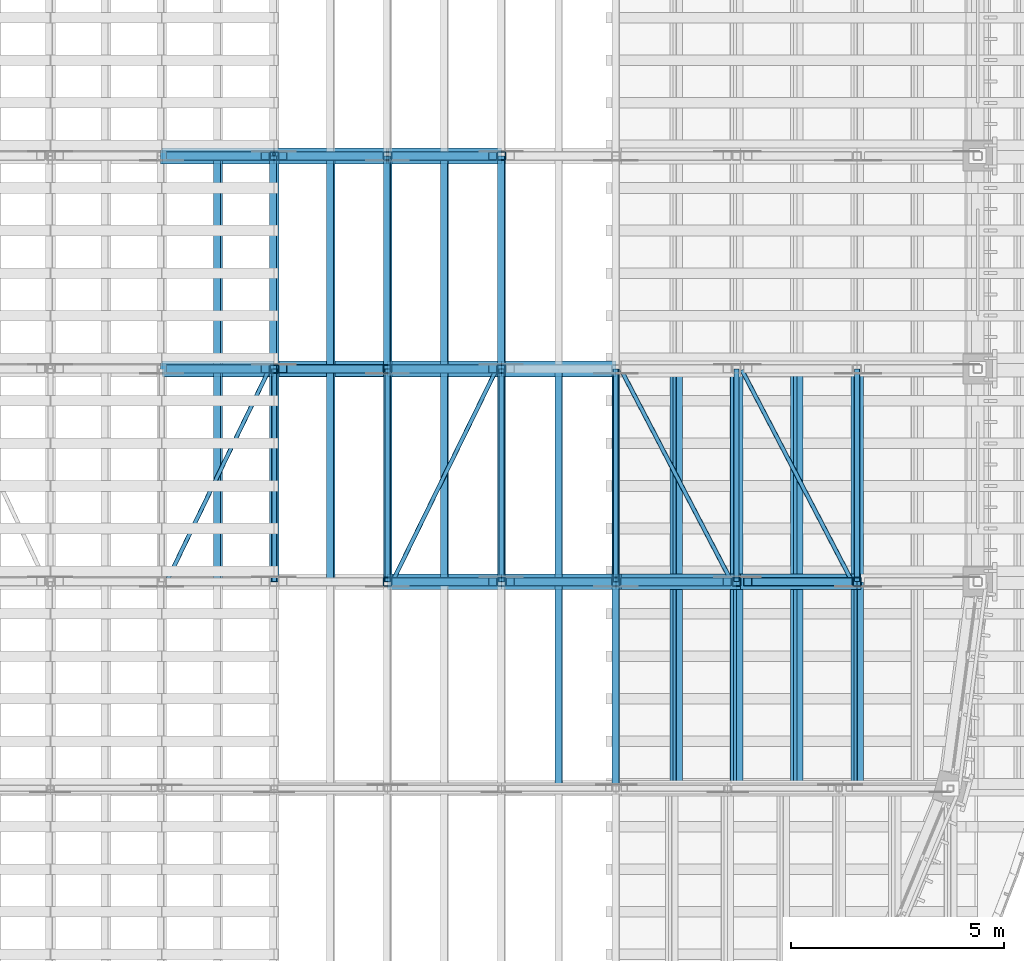
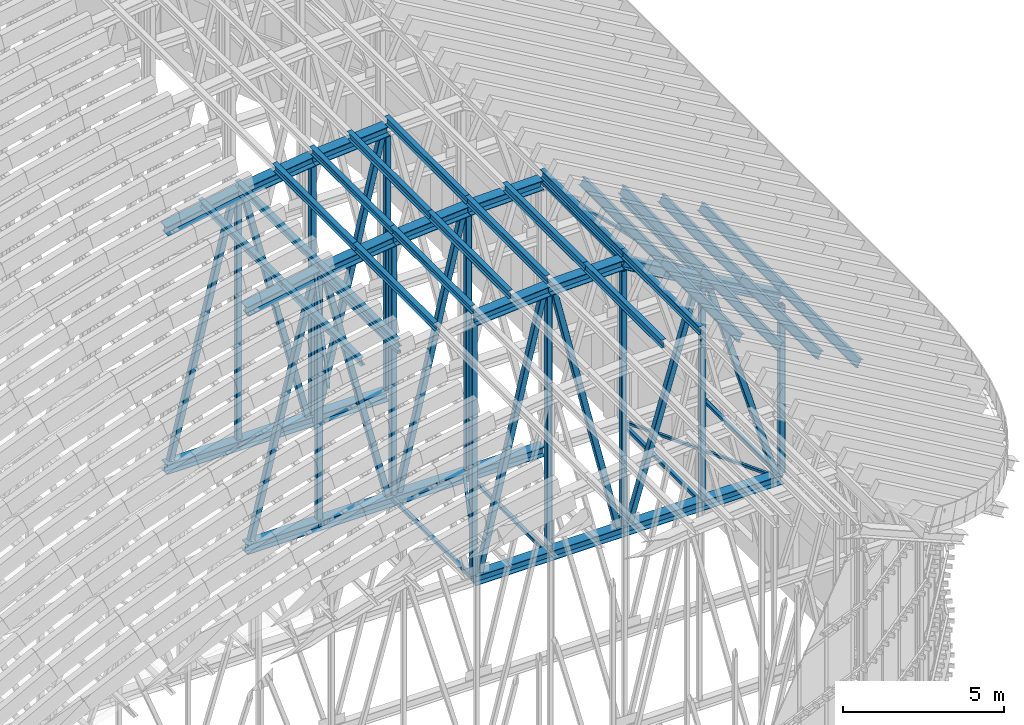
# One storey, part 14 of 105: 78 members.
"""IFC4 building model written with IfcOpenShell, lengths in metres."""

import ifcopenshell
import ifcopenshell.guid

model = None  # the IFC model being written
_history = None  # IfcOwnerHistory: only IFC2X3 demands one
_inside = {}  # id of a spatial element -> (the spatial element, [elements in it])
_under = {}  # id of a project, library or spatial element -> (it, [spatial elements below it])
_declared = {}  # id of a project -> (the project, [libraries it declares])
_typed = {}  # id of a type object -> (the type object, [elements of that type])
_made_of = {}  # id of a material, layer set ... -> (it, [elements and type objects made of it])


def new_model(schema):
    """Start an empty IFC model of exactly this schema.

    Asked for "IFC4X3", IfcOpenShell would pick the latest addendum, in which some entities
    have other attributes; the version numbers below select the first issue.
    IFC2X3 requires an IfcOwnerHistory on every rooted entity: one is made here for all.
    """
    global model, _history
    if schema == "IFC4X3":
        model = ifcopenshell.file(schema_version=(4, 3, 0, 0))
    else:
        model = ifcopenshell.file(schema=schema)
    _inside.clear()
    _under.clear()
    _declared.clear()
    _typed.clear()
    _made_of.clear()
    _history = None
    if model.schema == "IFC2X3":
        org = make("IfcOrganization", Name="unknown")
        user = make(
            "IfcPersonAndOrganization",
            ThePerson=make("IfcPerson", FamilyName="unknown"),
            TheOrganization=org,
        )
        app = make(
            "IfcApplication",
            ApplicationDeveloper=org,
            Version="unknown",
            ApplicationFullName="unknown",
            ApplicationIdentifier="unknown",
        )
        _history = make(
            "IfcOwnerHistory",
            OwningUser=user,
            OwningApplication=app,
            ChangeAction="ADDED",
            CreationDate=0,
        )
    return model


def make(cls, **values):
    """One entity of the class cls with the attributes given. An attribute that is None is left unset."""
    return model.create_entity(
        cls, **{name: value for name, value in values.items() if value is not None}
    )


def rooted(cls, **values):
    """An entity with a GlobalId (a new one), such as an element, a storey or a relation."""
    return make(cls, GlobalId=ifcopenshell.guid.new(), OwnerHistory=_history, **values)


def si_unit(unit_type, name, prefix=None):
    """IfcSIUnit, for example si_unit("LENGTHUNIT", "METRE", prefix="MILLI")."""
    return make("IfcSIUnit", UnitType=unit_type, Prefix=prefix, Name=name)


def assignment(units):
    """IfcUnitAssignment: the units of a project."""
    return None if units is None else make("IfcUnitAssignment", Units=units)


def point(xyz):
    """IfcCartesianPoint."""
    return None if xyz is None else make("IfcCartesianPoint", Coordinates=xyz)


def direction(xyz):
    """IfcDirection."""
    return None if xyz is None else make("IfcDirection", DirectionRatios=xyz)


def frame(location, z_axis=None, x_axis=None):
    """IfcAxis2Placement3D, a coordinate frame: its origin and axes. An axis left out is left unset."""
    return make(
        "IfcAxis2Placement3D",
        Location=point(location),
        Axis=direction(z_axis),
        RefDirection=direction(x_axis),
    )


def frame_2d(location, x_axis=None):
    """IfcAxis2Placement2D, a coordinate frame in the plane: its origin and x axis."""
    return make(
        "IfcAxis2Placement2D", Location=point(location), RefDirection=direction(x_axis)
    )


def origin():
    """The frame at (0, 0, 0) with its axes left unset."""
    return frame((0.0, 0.0, 0.0))


def origin_2d():
    """The frame at (0, 0) in the plane with its x axis left unset."""
    return frame_2d((0.0, 0.0))


def place(relative_to, where):
    """IfcLocalPlacement: puts the frame where relative to a parent placement (None: the world)."""
    return make(
        "IfcLocalPlacement", PlacementRelTo=relative_to, RelativePlacement=where
    )


def context(
    kind, dimensions, precision=None, world=None, true_north=None, identifier=None
):
    """IfcGeometricRepresentationContext, for example the 3D "Model" context."""
    return make(
        "IfcGeometricRepresentationContext",
        ContextIdentifier=identifier,
        ContextType=kind,
        CoordinateSpaceDimension=dimensions,
        Precision=precision,
        WorldCoordinateSystem=world,
        TrueNorth=true_north,
    )


def subcontext(parent, identifier, kind, view, scale=None):
    """IfcGeometricRepresentationSubContext, for example "Body" below "Model"."""
    return make(
        "IfcGeometricRepresentationSubContext",
        ContextIdentifier=identifier,
        ContextType=kind,
        ParentContext=parent,
        TargetScale=scale,
        TargetView=view,
    )


def project(units=None, contexts=None):
    """IfcProject with its units and contexts."""
    return rooted(
        "IfcProject",
        Name="project",
        RepresentationContexts=contexts,
        UnitsInContext=assignment(units),
    )


def spatial(cls, under=None, at=None, **own):
    """A site, building, storey or space (cls), placed at a placement, below another one or the project."""
    s = rooted(cls, ObjectPlacement=at, **own)
    if under is not None:
        _under.setdefault(under.id(), (under, []))[1].append(s)
    return s


def profile(cls, at=None, kind="AREA", **sizes):
    """A parametric profile (cls). Its sizes go by their IFC names, for example OverallWidth=200.0."""
    return make(cls, ProfileType=kind, Position=at, **sizes)


def hollow_rectangle(**sizes):
    """IfcRectangleHollowProfileDef."""
    return profile("IfcRectangleHollowProfileDef", **sizes)


def i_section(**sizes):
    """IfcIShapeProfileDef."""
    return profile("IfcIShapeProfileDef", **sizes)


def extrude(swept, where, along, depth):
    """IfcExtrudedAreaSolid: the profile swept, set in the frame where, extruded along a direction by depth."""
    return make(
        "IfcExtrudedAreaSolid",
        SweptArea=swept,
        Position=where,
        ExtrudedDirection=direction(along),
        Depth=depth,
    )


def shape(context_of_items, identifier, shape_type, items):
    """IfcShapeRepresentation: the items that make up one representation, for example the "Body"."""
    return make(
        "IfcShapeRepresentation",
        ContextOfItems=context_of_items,
        RepresentationIdentifier=identifier,
        RepresentationType=shape_type,
        Items=items,
    )


def material(Name=None, Category=None):
    """IfcMaterial."""
    return make("IfcMaterial", Name=Name, Category=Category)


def material_profile(
    of_material, cross_section, Name=None, Category=None, Priority=None
):
    """IfcMaterialProfile: a cross section and its material."""
    return make(
        "IfcMaterialProfile",
        Name=Name,
        Material=of_material,
        Profile=cross_section,
        Priority=Priority,
        Category=Category,
    )


def profile_set(profiles, Name=None, composite=None):
    """IfcMaterialProfileSet."""
    return make(
        "IfcMaterialProfileSet",
        Name=Name,
        MaterialProfiles=profiles,
        CompositeProfile=composite,
    )


def made_of(thing, what):
    """Note that an element or type object is made of a material, layer set ...; save() writes the relation."""
    if what is not None:
        _made_of.setdefault(what.id(), (what, []))[1].append(thing)
    return thing


def type_object(cls, material=None, **own):
    """A type object (cls), such as IfcWallType, which elements share."""
    return made_of(rooted(cls, **own), material)


def element(
    cls,
    number,
    at=None,
    inside=None,
    cuts=None,
    type_object=None,
    material=None,
    context=None,
    identifier="Body",
    shape_type=None,
    held_by="IfcProductDefinitionShape",
    body=None,
    shapes=None,
    **own,
):
    """One element of the class cls, such as IfcWall. Its Tag is "e" and its number.

    at: its placement. inside: the storey or other place that contains it. cuts: it is an
    opening in that element (IfcRelVoidsElement). A single representation is given by context,
    identifier, shape_type and body (its items); several are given by shapes. held_by: the class
    of the entity that holds the representations. save() writes the other relations.
    """
    e = rooted(cls, Tag="e%d" % number, ObjectPlacement=at, **own)
    if body is not None:
        shapes = [shape(context, identifier, shape_type, body)]
    if shapes is not None:
        e.Representation = make(held_by, Representations=shapes)
    if inside is not None:
        _inside.setdefault(inside.id(), (inside, []))[1].append(e)
    if cuts is not None:
        rooted(
            "IfcRelVoidsElement", RelatingBuildingElement=cuts, RelatedOpeningElement=e
        )
    if type_object is not None:
        _typed.setdefault(type_object.id(), (type_object, []))[1].append(e)
    return made_of(e, material)


def aggregate(whole, parts):
    """IfcRelAggregates: a whole, such as a stair, and the parts it consists of."""
    return rooted("IfcRelAggregates", RelatingObject=whole, RelatedObjects=parts)


def save(model, path):
    """Write the relations noted so far, then the file.

    IfcRelAggregates (storeys below a building ...), IfcRelContainedInSpatialStructure (elements
    in a storey), IfcRelDefinesByType, IfcRelAssociatesMaterial and IfcRelDeclares: one each for
    every whole, place, type object, material and project.
    """
    for whole, parts in _under.values():
        aggregate(whole, parts)
    for where, things in _inside.values():
        rooted(
            "IfcRelContainedInSpatialStructure",
            RelatedElements=things,
            RelatingStructure=where,
        )
    for kind, things in _typed.values():
        rooted("IfcRelDefinesByType", RelatedObjects=things, RelatingType=kind)
    for what, things in _made_of.values():
        rooted("IfcRelAssociatesMaterial", RelatedObjects=things, RelatingMaterial=what)
    for by, libraries in _declared.values():
        rooted("IfcRelDeclares", RelatingContext=by, RelatedDefinitions=libraries)
    model.write(path)


model = new_model("IFC4")

# Units and contexts
model_context = context("Model", 3, precision=1e-05, world=origin(), true_north=direction((0.0, 1.0)))
body_context = subcontext(model_context, "Body", "Model", "MODEL_VIEW")
ifc_project = project(units=[si_unit("LENGTHUNIT", "METRE"), si_unit("AREAUNIT", "SQUARE_METRE"), si_unit("VOLUMEUNIT", "CUBIC_METRE"), si_unit("PLANEANGLEUNIT", "RADIAN"), si_unit("MASSUNIT", "GRAM", prefix="KILO")], contexts=[model_context])

# Site, building, storey
site_placement = place(None, origin())
site = spatial("IfcSite", under=ifc_project, at=site_placement, CompositionType="ELEMENT")
building_placement = place(site_placement, origin())
building = spatial("IfcBuilding", under=site, at=building_placement, Name="Wasatch Bagh Community Centre", CompositionType="ELEMENT")
storey_placement = place(building_placement, frame((0.0, 0.0, 16.800048828125)))
storey = spatial("IfcBuildingStorey", under=building, at=storey_placement, Name="L04", CompositionType="ELEMENT", Elevation=16.800048828125)

# Members
ifc_material_1 = material(Name="ASTM A500 Grade C steel", Category="steel")
ifc_material_profile_1 = material_profile(ifc_material_1, hollow_rectangle(XDim=0.1015625, YDim=0.1015625, WallThickness=0.005859375, InnerFilletRadius=0.005859375, OuterFilletRadius=0.01171875, at=origin_2d()), Name="HSS4x4x1/4")
ifc_profile_set_1 = profile_set([ifc_material_profile_1], Name="ASTM A500 Grade C steel")
member_type_1 = type_object("IfcMemberType", Name="HSS4x4x1/4 brace", PredefinedType="BRACE", material=ifc_profile_set_1)
member_1_placement = place(storey_placement, frame((35.712890625, 35.031005859375, 16.929931640625), z_axis=(0.433686216835, 0.897548083669, 0.079521712941), x_axis=(-0.900399528263, 0.435064006215, 0.0)))
element("IfcMember", 1, at=member_1_placement, inside=storey, type_object=member_type_1, Name="MH.TA1-TA2.RT.DG09", PredefinedType="BRACE", context=body_context, shape_type="SweptSolid", body=[
    extrude(hollow_rectangle(XDim=0.1015625, YDim=0.1015625, WallThickness=0.005859375, InnerFilletRadius=0.005859375, OuterFilletRadius=0.01171875, at=origin_2d()), origin(), (0.0, 0.0, 1.0), 5.501708984375),
])
member_2_placement = place(storey_placement, frame((48.94970703125, 35.04052734375, 16.4296875), z_axis=(-0.446455809294, 0.855788378427, 0.261349309731), x_axis=(-0.886602891917, -0.462531417359, 0.0)))
element("IfcMember", 2, at=member_2_placement, inside=storey, type_object=member_type_1, Name="MH.TA1-TA2.RT.DG13", PredefinedType="BRACE", context=body_context, shape_type="SweptSolid", body=[
    extrude(hollow_rectangle(XDim=0.1015625, YDim=0.1015625, WallThickness=0.005859375, InnerFilletRadius=0.005859375, OuterFilletRadius=0.01171875, at=origin_2d()), origin(), (0.0, 0.0, 1.0), 5.747802734375),
])
member_3_placement = place(storey_placement, frame((41.01513671875, 35.025634765625, 7.892822265625), z_axis=(0.440004530452, 0.897995552986, 0.0), x_axis=(-0.897995552986, 0.440004530452, 0.0)))
element("IfcMember", 3, at=member_3_placement, inside=storey, type_object=member_type_1, Name="MH.TA1-TA2.RB.DG11", PredefinedType="BRACE", context=body_context, shape_type="SweptSolid", body=[
    extrude(hollow_rectangle(XDim=0.1015625, YDim=0.1015625, WallThickness=0.005859375, InnerFilletRadius=0.005859375, OuterFilletRadius=0.01171875, at=origin_2d()), origin(), (0.0, 0.0, 1.0), 5.5107421875),
])
member_4_placement = place(storey_placement, frame((51.789306640625, 35.02685546875, 7.892822265625), z_axis=(-0.462275800568, 0.886736197643, 0.0), x_axis=(-0.886736197643, -0.462275800568, 0.0)))
element("IfcMember", 4, at=member_4_placement, inside=storey, type_object=member_type_1, Name="MH.TA1-TA2.RB.DG14", PredefinedType="BRACE", context=body_context, shape_type="SweptSolid", body=[
    extrude(hollow_rectangle(XDim=0.1015625, YDim=0.1015625, WallThickness=0.005859375, InnerFilletRadius=0.005859375, OuterFilletRadius=0.01171875, at=origin_2d()), origin(), (0.0, 0.0, 1.0), 5.578125),
])
ifc_material_profile_2 = material_profile(ifc_material_1, hollow_rectangle(XDim=0.126953125, YDim=0.126953125, WallThickness=0.00732421875, InnerFilletRadius=0.00732421875, OuterFilletRadius=0.0146484375, at=origin_2d()), Name="HSS5x5x5/16")
ifc_profile_set_2 = profile_set([ifc_material_profile_2], Name="ASTM A500 Grade C steel")
member_type_2 = type_object("IfcMemberType", Name="HSS5x5x5/16 strut", PredefinedType="STRUT", material=ifc_profile_set_2)
for number, where, z_axis, x_axis, name in (
    (5, (38.226318359375, 35.00537109375, 17.390869140625), (0.0, 1.0, 0.0), (-1.0, 0.0, 0.0), "MH.TA1-TA2.RT.ST09E"),
    (6, (46.25, 35.00537109375, 18.010009765625), (0.0, 1.0, 0.0), (-1.0, 0.0, 0.0), "MH.TA1-TA2.RT.ST13W"),
    (7, (49.083251953125, 35.00537109375, 16.3515625), (0.0, 1.0, 0.0), (-1.0, 0.0, 0.0), "MH.TA1-TA2.RT.ST13E"),
):
    element("IfcMember", number, at=place(storey_placement, frame(where, z_axis=z_axis, x_axis=x_axis)), inside=storey, type_object=member_type_2, Name=name, PredefinedType="STRUT", context=body_context, shape_type="SweptSolid", body=[
        extrude(hollow_rectangle(XDim=0.126953125, YDim=0.126953125, WallThickness=0.00732421875, InnerFilletRadius=0.00732421875, OuterFilletRadius=0.0146484375, at=origin_2d()), origin(), (0.0, 0.0, 1.0), 4.9892578125),
    ])
for number, where, z_axis, x_axis, name in (
    (8, (40.88916015625, 35.003662109375, 7.892822265625), (0.0, 1.0, 0.0), (-1.0, 0.0, 0.0), "MH.TA1-TA2.RB.ST11W"),
    (9, (43.56591796875, 35.003662109375, 7.892822265625), (0.0, 1.0, 0.0), (-1.0, 0.0, 0.0), "MH.TA1-TA2.RB.ST11E"),
    (10, (49.083251953125, 35.003662109375, 7.892822265625), (0.0, 1.0, 0.0), (-1.0, 0.0, 0.0), "MH.TA1-TA2.RB.ST14W"),
    (11, (51.916748046875, 35.003662109375, 7.892822265625), (0.0, 1.0, 0.0), (-1.0, 0.0, 0.0), "MH.TA1-TA2.RB.ST14E"),
):
    element("IfcMember", number, at=place(storey_placement, frame(where, z_axis=z_axis, x_axis=x_axis)), inside=storey, type_object=member_type_2, Name=name, PredefinedType="STRUT", context=body_context, shape_type="SweptSolid", body=[
        extrude(hollow_rectangle(XDim=0.126953125, YDim=0.126953125, WallThickness=0.00732421875, InnerFilletRadius=0.00732421875, OuterFilletRadius=0.0146484375, at=origin_2d()), origin(), (0.0, 0.0, 1.0), 4.99267578125),
    ])
ifc_material_profile_3 = material_profile(ifc_material_1, hollow_rectangle(XDim=0.203125, YDim=0.203125, WallThickness=0.01171875, InnerFilletRadius=0.01171875, OuterFilletRadius=0.023681640625, at=origin_2d()), Name="HSS8x8x1/2")
ifc_profile_set_3 = profile_set([ifc_material_profile_3], Name="ASTM A500 Grade C steel")
member_type_3 = type_object("IfcMemberType", Name="HSS8x8x1/2 post", PredefinedType="POST", material=ifc_profile_set_3)
member_5_placement = place(storey_placement, frame((40.88916015625, 35.0, 8.070556640625), z_axis=(0.0, 0.0, 1.0), x_axis=(1.0, 0.0, 0.0)))
element("IfcMember", 12, at=member_5_placement, inside=storey, type_object=member_type_3, Name="MH.TA1.PS11", PredefinedType="POST", context=body_context, shape_type="SweptSolid", body=[
    extrude(hollow_rectangle(XDim=0.203125, YDim=0.203125, WallThickness=0.01171875, InnerFilletRadius=0.01171875, OuterFilletRadius=0.023681640625, at=origin_2d()), origin(), (0.0, 0.0, 1.0), 9.4677734375),
])
member_6_placement = place(storey_placement, frame((43.56591796875, 35.0, 8.070556640625), z_axis=(0.0, 0.0, 1.0), x_axis=(1.0, 0.0, 0.0)))
element("IfcMember", 13, at=member_6_placement, inside=storey, type_object=member_type_3, Name="MH.TA1.PS12", PredefinedType="POST", context=body_context, shape_type="SweptSolid", body=[
    extrude(hollow_rectangle(XDim=0.203125, YDim=0.203125, WallThickness=0.01171875, InnerFilletRadius=0.01171875, OuterFilletRadius=0.023681640625, at=origin_2d()), origin(), (0.0, 0.0, 1.0), 9.6826171875),
])
member_7_placement = place(storey_placement, frame((46.25, 35.0, 8.070556640625), z_axis=(0.0, 0.0, 1.0), x_axis=(1.0, 0.0, 0.0)))
element("IfcMember", 14, at=member_7_placement, inside=storey, type_object=member_type_3, Name="MH.TA1.PS13", PredefinedType="POST", context=body_context, shape_type="SweptSolid", body=[
    extrude(hollow_rectangle(XDim=0.203125, YDim=0.203125, WallThickness=0.01171875, InnerFilletRadius=0.01171875, OuterFilletRadius=0.023681640625, at=origin_2d()), origin(), (0.0, 0.0, 1.0), 9.64501953125),
])
member_8_placement = place(storey_placement, frame((49.083251953125, 35.0, 8.070556640625), z_axis=(0.0, 0.0, 1.0), x_axis=(1.0, 0.0, 0.0)))
element("IfcMember", 15, at=member_8_placement, inside=storey, type_object=member_type_3, Name="MH.TA1.PS14", PredefinedType="POST", context=body_context, shape_type="SweptSolid", body=[
    extrude(hollow_rectangle(XDim=0.203125, YDim=0.203125, WallThickness=0.01171875, InnerFilletRadius=0.01171875, OuterFilletRadius=0.023681640625, at=origin_2d()), origin(), (0.0, 0.0, 1.0), 8.007568359375),
])
member_9_placement = place(storey_placement, frame((51.916748046875, 35.0, 8.070556640625), z_axis=(0.0, 0.0, 1.0), x_axis=(1.0, 0.0, 0.0)))
element("IfcMember", 16, at=member_9_placement, inside=storey, type_object=member_type_3, Name="MH.TA1.PS15", PredefinedType="POST", context=body_context, shape_type="SweptSolid", body=[
    extrude(hollow_rectangle(XDim=0.203125, YDim=0.203125, WallThickness=0.01171875, InnerFilletRadius=0.01171875, OuterFilletRadius=0.023681640625, at=origin_2d()), origin(), (0.0, 0.0, 1.0), 6.34912109375),
])
member_10_placement = place(storey_placement, frame((38.226318359375, 40.0, 8.070556640625), z_axis=(0.0, 0.0, 1.0), x_axis=(1.0, 0.0, 0.0)))
element("IfcMember", 17, at=member_10_placement, inside=storey, type_object=member_type_3, Name="MH.TA2.PS10", PredefinedType="POST", context=body_context, shape_type="SweptSolid", body=[
    extrude(hollow_rectangle(XDim=0.203125, YDim=0.203125, WallThickness=0.01171875, InnerFilletRadius=0.01171875, OuterFilletRadius=0.023681640625, at=origin_2d()), origin(), (0.0, 0.0, 1.0), 9.114013671875),
])
member_11_placement = place(storey_placement, frame((40.88916015625, 40.0, 8.070556640625), z_axis=(0.0, 0.0, 1.0), x_axis=(1.0, 0.0, 0.0)))
element("IfcMember", 18, at=member_11_placement, inside=storey, type_object=member_type_3, Name="MH.TA2.PS11", PredefinedType="POST", context=body_context, shape_type="SweptSolid", body=[
    extrude(hollow_rectangle(XDim=0.203125, YDim=0.203125, WallThickness=0.01171875, InnerFilletRadius=0.01171875, OuterFilletRadius=0.023681640625, at=origin_2d()), origin(), (0.0, 0.0, 1.0), 9.4677734375),
])
member_12_placement = place(storey_placement, frame((43.56591796875, 40.0, 8.070556640625), z_axis=(0.0, 0.0, 1.0), x_axis=(1.0, 0.0, 0.0)))
element("IfcMember", 19, at=member_12_placement, inside=storey, type_object=member_type_3, Name="MH.TA2.PS12", PredefinedType="POST", context=body_context, shape_type="SweptSolid", body=[
    extrude(hollow_rectangle(XDim=0.203125, YDim=0.203125, WallThickness=0.01171875, InnerFilletRadius=0.01171875, OuterFilletRadius=0.023681640625, at=origin_2d()), origin(), (0.0, 0.0, 1.0), 9.6826171875),
])
member_13_placement = place(storey_placement, frame((38.226318359375, 45.0, 8.070556640625), z_axis=(0.0, 0.0, 1.0), x_axis=(1.0, 0.0, 0.0)))
element("IfcMember", 20, at=member_13_placement, inside=storey, type_object=member_type_3, Name="MH.TA3.PS10", PredefinedType="POST", context=body_context, shape_type="SweptSolid", body=[
    extrude(hollow_rectangle(XDim=0.203125, YDim=0.203125, WallThickness=0.01171875, InnerFilletRadius=0.01171875, OuterFilletRadius=0.023681640625, at=origin_2d()), origin(), (0.0, 0.0, 1.0), 9.114013671875),
])
member_14_placement = place(storey_placement, frame((40.88916015625, 45.0, 8.070556640625), z_axis=(0.0, 0.0, 1.0), x_axis=(1.0, 0.0, 0.0)))
element("IfcMember", 21, at=member_14_placement, inside=storey, type_object=member_type_3, Name="MH.TA3.PS11", PredefinedType="POST", context=body_context, shape_type="SweptSolid", body=[
    extrude(hollow_rectangle(XDim=0.203125, YDim=0.203125, WallThickness=0.01171875, InnerFilletRadius=0.01171875, OuterFilletRadius=0.023681640625, at=origin_2d()), origin(), (0.0, 0.0, 1.0), 9.4677734375),
])
member_15_placement = place(storey_placement, frame((43.56591796875, 45.0, 8.070556640625), z_axis=(0.0, 0.0, 1.0), x_axis=(1.0, 0.0, 0.0)))
element("IfcMember", 22, at=member_15_placement, inside=storey, type_object=member_type_3, Name="MH.TA3.PS12", PredefinedType="POST", context=body_context, shape_type="SweptSolid", body=[
    extrude(hollow_rectangle(XDim=0.203125, YDim=0.203125, WallThickness=0.01171875, InnerFilletRadius=0.01171875, OuterFilletRadius=0.023681640625, at=origin_2d()), origin(), (0.0, 0.0, 1.0), 9.6826171875),
])
ifc_material_profile_4 = material_profile(ifc_material_1, hollow_rectangle(XDim=0.203125, YDim=0.203125, WallThickness=0.0087890625, InnerFilletRadius=0.0087890625, OuterFilletRadius=0.017822265625, at=origin_2d()), Name="HSS8x8x3/8")
ifc_profile_set_4 = profile_set([ifc_material_profile_4], Name="ASTM A500 Grade C steel")
member_type_4 = type_object("IfcMemberType", Name="HSS8x8x3/8 brace", PredefinedType="BRACE", material=ifc_profile_set_4)
member_16_placement = place(storey_placement, frame((41.09130859375, 35.0, 8.094482421875), z_axis=(0.229488169753, 0.0, 0.973311450638), x_axis=(0.0, 1.0, 0.0)))
element("IfcMember", 23, at=member_16_placement, inside=storey, type_object=member_type_4, Name="MH.TA1.WB11", PredefinedType="BRACE", context=body_context, shape_type="SweptSolid", body=[
    extrude(hollow_rectangle(XDim=0.203125, YDim=0.203125, WallThickness=0.0087890625, InnerFilletRadius=0.0087890625, OuterFilletRadius=0.017822265625, at=origin_2d()), origin(), (0.0, 0.0, 1.0), 9.883056640625),
])
member_17_placement = place(storey_placement, frame((46.047607421875, 35.0, 8.094482421875), z_axis=(-0.229781671389, 0.0, 0.973242201866), x_axis=(0.0, -1.0, 0.0)))
element("IfcMember", 24, at=member_17_placement, inside=storey, type_object=member_type_4, Name="MH.TA1.WB12", PredefinedType="BRACE", context=body_context, shape_type="SweptSolid", body=[
    extrude(hollow_rectangle(XDim=0.203125, YDim=0.203125, WallThickness=0.0087890625, InnerFilletRadius=0.0087890625, OuterFilletRadius=0.017822265625, at=origin_2d()), origin(), (0.0, 0.0, 1.0), 9.916259765625),
])
member_18_placement = place(storey_placement, frame((46.466796875, 35.0, 8.099853515625), z_axis=(0.28291893223, 0.0, 0.959143825391), x_axis=(0.0, 1.0, 0.0)))
element("IfcMember", 25, at=member_18_placement, inside=storey, type_object=member_type_4, Name="MH.TA1.WB13", PredefinedType="BRACE", context=body_context, shape_type="SweptSolid", body=[
    extrude(hollow_rectangle(XDim=0.203125, YDim=0.203125, WallThickness=0.0087890625, InnerFilletRadius=0.0087890625, OuterFilletRadius=0.017822265625, at=origin_2d()), origin(), (0.0, 0.0, 1.0), 8.481689453125),
])
member_19_placement = place(storey_placement, frame((51.698486328125, 35.0, 8.100341796875), z_axis=(-0.28855246331, 0.0, 0.957464085967), x_axis=(0.0, -1.0, 0.0)))
element("IfcMember", 26, at=member_19_placement, inside=storey, type_object=member_type_4, Name="MH.TA1.WB14", PredefinedType="BRACE", context=body_context, shape_type="SweptSolid", body=[
    extrude(hollow_rectangle(XDim=0.203125, YDim=0.203125, WallThickness=0.0087890625, InnerFilletRadius=0.0087890625, OuterFilletRadius=0.017822265625, at=origin_2d()), origin(), (0.0, 0.0, 1.0), 8.142822265625),
])
member_20_placement = place(storey_placement, frame((35.7900390625, 40.0, 8.095458984375), z_axis=(0.239060955477, 0.0, 0.971004562073), x_axis=(0.0, 1.0, 0.0)))
element("IfcMember", 27, at=member_20_placement, inside=storey, type_object=member_type_4, Name="MH.TA2.WB09", PredefinedType="BRACE", context=body_context, shape_type="SweptSolid", body=[
    extrude(hollow_rectangle(XDim=0.203125, YDim=0.203125, WallThickness=0.0087890625, InnerFilletRadius=0.0087890625, OuterFilletRadius=0.017822265625, at=origin_2d()), origin(), (0.0, 0.0, 1.0), 9.29541015625),
])
member_21_placement = place(storey_placement, frame((40.68408203125, 40.0, 8.095458984375), z_axis=(-0.239967720636, 0.0, 0.97078086768), x_axis=(0.0, -1.0, 0.0)))
element("IfcMember", 28, at=member_21_placement, inside=storey, type_object=member_type_4, Name="MH.TA2.WB10", PredefinedType="BRACE", context=body_context, shape_type="SweptSolid", body=[
    extrude(hollow_rectangle(XDim=0.203125, YDim=0.203125, WallThickness=0.0087890625, InnerFilletRadius=0.0087890625, OuterFilletRadius=0.017822265625, at=origin_2d()), origin(), (0.0, 0.0, 1.0), 9.398681640625),
])
member_22_placement = place(storey_placement, frame((41.09130859375, 40.0, 8.094482421875), z_axis=(0.229488169753, 0.0, 0.973311450638), x_axis=(0.0, 1.0, 0.0)))
element("IfcMember", 29, at=member_22_placement, inside=storey, type_object=member_type_4, Name="MH.TA2.WB11", PredefinedType="BRACE", context=body_context, shape_type="SweptSolid", body=[
    extrude(hollow_rectangle(XDim=0.203125, YDim=0.203125, WallThickness=0.0087890625, InnerFilletRadius=0.0087890625, OuterFilletRadius=0.017822265625, at=origin_2d()), origin(), (0.0, 0.0, 1.0), 9.883056640625),
])
member_23_placement = place(storey_placement, frame((35.7900390625, 45.0, 8.095458984375), z_axis=(0.239060955477, 0.0, 0.971004562073), x_axis=(0.0, 1.0, 0.0)))
element("IfcMember", 30, at=member_23_placement, inside=storey, type_object=member_type_4, Name="MH.TA3.WB09", PredefinedType="BRACE", context=body_context, shape_type="SweptSolid", body=[
    extrude(hollow_rectangle(XDim=0.203125, YDim=0.203125, WallThickness=0.0087890625, InnerFilletRadius=0.0087890625, OuterFilletRadius=0.017822265625, at=origin_2d()), origin(), (0.0, 0.0, 1.0), 9.29541015625),
])
member_24_placement = place(storey_placement, frame((40.68408203125, 45.0, 8.095458984375), z_axis=(-0.239967720636, 0.0, 0.97078086768), x_axis=(0.0, -1.0, 0.0)))
element("IfcMember", 31, at=member_24_placement, inside=storey, type_object=member_type_4, Name="MH.TA3.WB10", PredefinedType="BRACE", context=body_context, shape_type="SweptSolid", body=[
    extrude(hollow_rectangle(XDim=0.203125, YDim=0.203125, WallThickness=0.0087890625, InnerFilletRadius=0.0087890625, OuterFilletRadius=0.017822265625, at=origin_2d()), origin(), (0.0, 0.0, 1.0), 9.398681640625),
])
member_25_placement = place(storey_placement, frame((41.09130859375, 45.0, 8.094482421875), z_axis=(0.229488169753, 0.0, 0.973311450638), x_axis=(0.0, 1.0, 0.0)))
element("IfcMember", 32, at=member_25_placement, inside=storey, type_object=member_type_4, Name="MH.TA3.WB11", PredefinedType="BRACE", context=body_context, shape_type="SweptSolid", body=[
    extrude(hollow_rectangle(XDim=0.203125, YDim=0.203125, WallThickness=0.0087890625, InnerFilletRadius=0.0087890625, OuterFilletRadius=0.017822265625, at=origin_2d()), origin(), (0.0, 0.0, 1.0), 9.883056640625),
])
ifc_material_2 = material(Name="ASTM A992 Grade 50 steel", Category="steel")
ifc_material_profile_5 = material_profile(ifc_material_2, i_section(OverallWidth=0.164794921875, OverallDepth=0.309814453125, WebThickness=0.005859375, FlangeThickness=0.009765625, at=origin_2d()), Name="W12x26")
ifc_profile_set_5 = profile_set([ifc_material_profile_5], Name="ASTM A992 Grade 50 steel")
member_type_5 = type_object("IfcMemberType", Name="W12x26 purlin", PredefinedType="PURLIN", material=ifc_profile_set_5)
for number, where, z_axis, x_axis, name in (
    (33, (44.907958984375, 30.147216796875, 18.3203125), (0.0, 1.0, 0.0), (-0.999666689368, 0.0, -0.025816858198), "MH.TS1-TA1.PU24"),
    (34, (46.25, 30.147216796875, 18.35498046875), (0.0, 1.0, 0.0), (-0.999666689368, 0.0, -0.025816858198), "MH.TS1-TA1.PU25"),
    (35, (47.666748046875, 30.147216796875, 17.56103515625), (0.0, 1.0, 0.0), (-0.866025403784, 0.0, 0.5), "MH.TS1-TA1.PU26"),
    (36, (49.083251953125, 30.147216796875, 16.742919921875), (0.0, 1.0, 0.0), (-0.866025403784, 0.0, 0.5), "MH.TS1-TA1.PU27"),
    (37, (50.5, 30.147216796875, 15.925048828125), (0.0, 1.0, 0.0), (-0.866025403784, 0.0, 0.5), "MH.TS1-TA1.PU28"),
    (38, (51.916748046875, 30.147216796875, 15.107177734375), (0.0, 1.0, 0.0), (-0.866025403784, 0.0, 0.5), "MH.TS1-TA1.PU29"),
):
    element("IfcMember", number, at=place(storey_placement, frame(where, z_axis=z_axis, x_axis=x_axis)), inside=storey, type_object=member_type_5, Name=name, PredefinedType="PURLIN", context=body_context, shape_type="SweptSolid", body=[
        extrude(i_section(OverallWidth=0.164794921875, OverallDepth=0.309814453125, WebThickness=0.005859375, FlangeThickness=0.009765625, at=origin_2d()), origin(), (0.0, 0.0, 1.0), 4.852783203125),
    ])
for number, where, z_axis, x_axis, name in (
    (39, (36.90576171875, 35.0, 17.493408203125), (0.0, 1.0, 0.0), (-0.983711293114, 0.0, -0.179755644695), "MH.TA1-TA2.PU19"),
    (40, (38.226318359375, 35.0, 17.734619140625), (0.0, 1.0, 0.0), (-0.983711293114, 0.0, -0.179755644695), "MH.TA1-TA2.PU20"),
    (41, (39.5576171875, 35.0, 17.90625), (0.0, 1.0, 0.0), (-0.991678342395, 0.0, -0.12874030148), "MH.TA1-TA2.PU21"),
    (42, (40.88916015625, 35.0, 18.0791015625), (0.0, 1.0, 0.0), (-0.991678342395, 0.0, -0.12874030148), "MH.TA1-TA2.PU22"),
    (43, (42.2275390625, 35.0, 18.18212890625), (0.0, 1.0, 0.0), (-0.997001538098, 0.0, -0.077381735761), "MH.TA1-TA2.PU23"),
    (44, (43.56591796875, 35.0, 18.2861328125), (0.0, 1.0, 0.0), (-0.997001538098, 0.0, -0.077381735761), "MH.TA1-TA2.PU24"),
    (45, (44.907958984375, 35.0, 18.3203125), (0.0, 1.0, 0.0), (-0.999666689368, 0.0, -0.025816858198), "MH.TA1-TA2.PU25"),
    (46, (46.25, 35.0, 18.35498046875), (0.0, 1.0, 0.0), (-0.999666689368, 0.0, -0.025816858198), "MH.TA1-TA2.PU26"),
    (47, (47.666748046875, 35.0, 17.56103515625), (0.0, 1.0, 0.0), (-0.866025403784, 0.0, 0.5), "MH.TA1-TA2.PU27"),
    (48, (49.083251953125, 35.0, 16.742919921875), (0.0, 1.0, 0.0), (-0.866025403784, 0.0, 0.5), "MH.TA1-TA2.PU28"),
    (49, (50.5, 35.0, 15.925048828125), (0.0, 1.0, 0.0), (-0.866025403784, 0.0, 0.5), "MH.TA1-TA2.PU29"),
    (50, (51.916748046875, 35.0, 15.107177734375), (0.0, 1.0, 0.0), (-0.866025403784, 0.0, 0.5), "MH.TA1-TA2.PU30"),
    (51, (36.90576171875, 40.0, 17.493408203125), (0.0, 1.0, 0.0), (-0.983711293114, 0.0, -0.179755644695), "MH.TA2-TA3.PU19"),
    (52, (38.226318359375, 40.0, 17.734619140625), (0.0, 1.0, 0.0), (-0.983711293114, 0.0, -0.179755644695), "MH.TA2-TA3.PU20"),
    (53, (39.5576171875, 40.0, 17.90625), (0.0, 1.0, 0.0), (-0.991678342395, 0.0, -0.12874030148), "MH.TA2-TA3.PU21"),
    (54, (40.88916015625, 40.0, 18.0791015625), (0.0, 1.0, 0.0), (-0.991678342395, 0.0, -0.12874030148), "MH.TA2-TA3.PU22"),
    (55, (42.2275390625, 40.0, 18.18212890625), (0.0, 1.0, 0.0), (-0.997001538098, 0.0, -0.077381735761), "MH.TA2-TA3.PU23"),
    (56, (43.56591796875, 40.0, 18.2861328125), (0.0, 1.0, 0.0), (-0.997001538098, 0.0, -0.077381735761), "MH.TA2-TA3.PU24"),
):
    element("IfcMember", number, at=place(storey_placement, frame(where, z_axis=z_axis, x_axis=x_axis)), inside=storey, type_object=member_type_5, Name=name, PredefinedType="PURLIN", context=body_context, shape_type="SweptSolid", body=[
        extrude(i_section(OverallWidth=0.164794921875, OverallDepth=0.309814453125, WebThickness=0.005859375, FlangeThickness=0.009765625, at=origin_2d()), origin(), (0.0, 0.0, 1.0), 5.0),
    ])
ifc_material_profile_6 = material_profile(ifc_material_2, i_section(OverallWidth=0.373291015625, OverallDepth=0.368408203125, WebThickness=0.014892578125, FlangeThickness=0.02392578125, at=origin_2d()), Name="W14x120")
ifc_profile_set_6 = profile_set([ifc_material_profile_6], Name="ASTM A992 Grade 50 steel")
member_type_6 = type_object("IfcMemberType", Name="W14x120 chord", PredefinedType="CHORD", material=ifc_profile_set_6)
member_26_placement = place(storey_placement, frame((40.894287109375, 35.0, 17.738037109375), z_axis=(0.996977738737, 0.0, 0.077687762628), x_axis=(0.0, 1.0, 0.0)))
element("IfcMember", 57, at=member_26_placement, inside=storey, type_object=member_type_6, Name="MH.TA1.TC13", PredefinedType="CHORD", context=body_context, shape_type="SweptSolid", body=[
    extrude(i_section(OverallWidth=0.373291015625, OverallDepth=0.368408203125, WebThickness=0.014892578125, FlangeThickness=0.02392578125, at=origin_2d()), origin(), (0.0, 0.0, 1.0), 2.67431640625),
])
member_27_placement = place(storey_placement, frame((43.571533203125, 35.0, 17.9462890625), z_axis=(0.999716831717, 0.0, 0.023796142159), x_axis=(0.0, 1.0, 0.0)))
element("IfcMember", 58, at=member_27_placement, inside=storey, type_object=member_type_6, Name="MH.TA1.TC14", PredefinedType="CHORD", context=body_context, shape_type="SweptSolid", body=[
    extrude(i_section(OverallWidth=0.373291015625, OverallDepth=0.368408203125, WebThickness=0.014892578125, FlangeThickness=0.02392578125, at=origin_2d()), origin(), (0.0, 0.0, 1.0), 2.62646484375),
])
member_28_placement = place(storey_placement, frame((46.295654296875, 35.0, 17.9833984375), z_axis=(0.863012861472, 0.0, -0.505181948345), x_axis=(0.0, 1.0, 0.0)))
element("IfcMember", 59, at=member_28_placement, inside=storey, type_object=member_type_6, Name="MH.TA1.TC15", PredefinedType="CHORD", context=body_context, shape_type="SweptSolid", body=[
    extrude(i_section(OverallWidth=0.373291015625, OverallDepth=0.368408203125, WebThickness=0.014892578125, FlangeThickness=0.02392578125, at=origin_2d()), origin(), (0.0, 0.0, 1.0), 3.229248046875),
])
member_29_placement = place(storey_placement, frame((49.084228515625, 35.0, 16.35107421875), z_axis=(0.866001581989, 0.0, -0.50004125829), x_axis=(0.0, 1.0, 0.0)))
element("IfcMember", 60, at=member_29_placement, inside=storey, type_object=member_type_6, Name="MH.TA1.TC16", PredefinedType="CHORD", context=body_context, shape_type="SweptSolid", body=[
    extrude(i_section(OverallWidth=0.373291015625, OverallDepth=0.368408203125, WebThickness=0.014892578125, FlangeThickness=0.02392578125, at=origin_2d()), origin(), (0.0, 0.0, 1.0), 3.270263671875),
])
member_30_placement = place(storey_placement, frame((35.59033203125, 40.0, 16.907470703125), z_axis=(0.983600080767, 0.0, 0.180363192242), x_axis=(0.0, 1.0, 0.0)))
element("IfcMember", 61, at=member_30_placement, inside=storey, type_object=member_type_6, Name="MH.TA2.TC11", PredefinedType="CHORD", context=body_context, shape_type="SweptSolid", body=[
    extrude(i_section(OverallWidth=0.373291015625, OverallDepth=0.368408203125, WebThickness=0.014892578125, FlangeThickness=0.02392578125, at=origin_2d()), origin(), (0.0, 0.0, 1.0), 2.6748046875),
])
member_31_placement = place(storey_placement, frame((38.231689453125, 40.0, 17.3916015625), z_axis=(0.991622793243, 0.0, 0.129167472378), x_axis=(0.0, 1.0, 0.0)))
element("IfcMember", 62, at=member_31_placement, inside=storey, type_object=member_type_6, Name="MH.TA2.TC12", PredefinedType="CHORD", context=body_context, shape_type="SweptSolid", body=[
    extrude(i_section(OverallWidth=0.373291015625, OverallDepth=0.368408203125, WebThickness=0.014892578125, FlangeThickness=0.02392578125, at=origin_2d()), origin(), (0.0, 0.0, 1.0), 2.674560546875),
])
member_32_placement = place(storey_placement, frame((40.894287109375, 40.0, 17.738037109375), z_axis=(0.996977738737, 0.0, 0.077687762628), x_axis=(0.0, 1.0, 0.0)))
element("IfcMember", 63, at=member_32_placement, inside=storey, type_object=member_type_6, Name="MH.TA2.TC13", PredefinedType="CHORD", context=body_context, shape_type="SweptSolid", body=[
    extrude(i_section(OverallWidth=0.373291015625, OverallDepth=0.368408203125, WebThickness=0.014892578125, FlangeThickness=0.02392578125, at=origin_2d()), origin(), (0.0, 0.0, 1.0), 2.67431640625),
])
member_33_placement = place(storey_placement, frame((43.571533203125, 40.0, 17.9462890625), z_axis=(0.999716831717, 0.0, 0.023796142159), x_axis=(0.0, 1.0, 0.0)))
element("IfcMember", 64, at=member_33_placement, inside=storey, type_object=member_type_6, Name="MH.TA2.TC14", PredefinedType="CHORD", context=body_context, shape_type="SweptSolid", body=[
    extrude(i_section(OverallWidth=0.373291015625, OverallDepth=0.368408203125, WebThickness=0.014892578125, FlangeThickness=0.02392578125, at=origin_2d()), origin(), (0.0, 0.0, 1.0), 2.62646484375),
])
member_34_placement = place(storey_placement, frame((35.59033203125, 45.0, 16.907470703125), z_axis=(0.983600080767, 0.0, 0.180363192242), x_axis=(0.0, 1.0, 0.0)))
element("IfcMember", 65, at=member_34_placement, inside=storey, type_object=member_type_6, Name="MH.TA3.TC11", PredefinedType="CHORD", context=body_context, shape_type="SweptSolid", body=[
    extrude(i_section(OverallWidth=0.373291015625, OverallDepth=0.368408203125, WebThickness=0.014892578125, FlangeThickness=0.02392578125, at=origin_2d()), origin(), (0.0, 0.0, 1.0), 2.6748046875),
])
member_35_placement = place(storey_placement, frame((38.231689453125, 45.0, 17.3916015625), z_axis=(0.991622793243, 0.0, 0.129167472378), x_axis=(0.0, 1.0, 0.0)))
element("IfcMember", 66, at=member_35_placement, inside=storey, type_object=member_type_6, Name="MH.TA3.TC12", PredefinedType="CHORD", context=body_context, shape_type="SweptSolid", body=[
    extrude(i_section(OverallWidth=0.373291015625, OverallDepth=0.368408203125, WebThickness=0.014892578125, FlangeThickness=0.02392578125, at=origin_2d()), origin(), (0.0, 0.0, 1.0), 2.674560546875),
])
member_36_placement = place(storey_placement, frame((40.894287109375, 45.0, 17.738037109375), z_axis=(0.996977738737, 0.0, 0.077687762628), x_axis=(0.0, 1.0, 0.0)))
element("IfcMember", 67, at=member_36_placement, inside=storey, type_object=member_type_6, Name="MH.TA3.TC13", PredefinedType="CHORD", context=body_context, shape_type="SweptSolid", body=[
    extrude(i_section(OverallWidth=0.373291015625, OverallDepth=0.368408203125, WebThickness=0.014892578125, FlangeThickness=0.02392578125, at=origin_2d()), origin(), (0.0, 0.0, 1.0), 2.67431640625),
])
ifc_material_profile_7 = material_profile(ifc_material_2, i_section(OverallWidth=0.368408203125, OverallDepth=0.355712890625, WebThickness=0.01123046875, FlangeThickness=0.01806640625, at=origin_2d()), Name="W14x90")
ifc_profile_set_7 = profile_set([ifc_material_profile_7], Name="ASTM A992 Grade 50 steel")
member_type_7 = type_object("IfcMemberType", Name="W14x90 chord", PredefinedType="CHORD", material=ifc_profile_set_7)
member_37_placement = place(storey_placement, frame((40.88916015625, 35.0, 7.892822265625), z_axis=(1.0, 0.0, 0.0), x_axis=(0.0, 1.0, 0.0)))
element("IfcMember", 68, at=member_37_placement, inside=storey, type_object=member_type_7, Name="MH.TA1.BC11", PredefinedType="CHORD", context=body_context, shape_type="SweptSolid", body=[
    extrude(i_section(OverallWidth=0.368408203125, OverallDepth=0.355712890625, WebThickness=0.01123046875, FlangeThickness=0.01806640625, at=origin_2d()), origin(), (0.0, 0.0, 1.0), 2.6767578125),
])
member_38_placement = place(storey_placement, frame((43.56591796875, 35.0, 7.892822265625), z_axis=(1.0, 0.0, 0.0), x_axis=(0.0, 1.0, 0.0)))
element("IfcMember", 69, at=member_38_placement, inside=storey, type_object=member_type_7, Name="MH.TA1.BC12", PredefinedType="CHORD", context=body_context, shape_type="SweptSolid", body=[
    extrude(i_section(OverallWidth=0.368408203125, OverallDepth=0.355712890625, WebThickness=0.01123046875, FlangeThickness=0.01806640625, at=origin_2d()), origin(), (0.0, 0.0, 1.0), 2.68408203125),
])
member_39_placement = place(storey_placement, frame((46.25, 35.0, 7.892822265625), z_axis=(1.0, 0.0, 0.0), x_axis=(0.0, 1.0, 0.0)))
element("IfcMember", 70, at=member_39_placement, inside=storey, type_object=member_type_7, Name="MH.TA1.BC13", PredefinedType="CHORD", context=body_context, shape_type="SweptSolid", body=[
    extrude(i_section(OverallWidth=0.368408203125, OverallDepth=0.355712890625, WebThickness=0.01123046875, FlangeThickness=0.01806640625, at=origin_2d()), origin(), (0.0, 0.0, 1.0), 2.833251953125),
])
member_40_placement = place(storey_placement, frame((49.083251953125, 35.0, 7.892822265625), z_axis=(1.0, 0.0, 0.0), x_axis=(0.0, 1.0, 0.0)))
element("IfcMember", 71, at=member_40_placement, inside=storey, type_object=member_type_7, Name="MH.TA1.BC14", PredefinedType="CHORD", context=body_context, shape_type="SweptSolid", body=[
    extrude(i_section(OverallWidth=0.368408203125, OverallDepth=0.355712890625, WebThickness=0.01123046875, FlangeThickness=0.01806640625, at=origin_2d()), origin(), (0.0, 0.0, 1.0), 2.83349609375),
])
member_41_placement = place(storey_placement, frame((35.585205078125, 40.0, 7.892822265625), z_axis=(1.0, 0.0, 0.0), x_axis=(0.0, 1.0, 0.0)))
element("IfcMember", 72, at=member_41_placement, inside=storey, type_object=member_type_7, Name="MH.TA2.BC09", PredefinedType="CHORD", context=body_context, shape_type="SweptSolid", body=[
    extrude(i_section(OverallWidth=0.368408203125, OverallDepth=0.355712890625, WebThickness=0.01123046875, FlangeThickness=0.01806640625, at=origin_2d()), origin(), (0.0, 0.0, 1.0), 2.64111328125),
])
member_42_placement = place(storey_placement, frame((38.226318359375, 40.0, 7.892822265625), z_axis=(1.0, 0.0, 0.0), x_axis=(0.0, 1.0, 0.0)))
element("IfcMember", 73, at=member_42_placement, inside=storey, type_object=member_type_7, Name="MH.TA2.BC10", PredefinedType="CHORD", context=body_context, shape_type="SweptSolid", body=[
    extrude(i_section(OverallWidth=0.368408203125, OverallDepth=0.355712890625, WebThickness=0.01123046875, FlangeThickness=0.01806640625, at=origin_2d()), origin(), (0.0, 0.0, 1.0), 2.662841796875),
])
member_43_placement = place(storey_placement, frame((40.88916015625, 40.0, 7.892822265625), z_axis=(1.0, 0.0, 0.0), x_axis=(0.0, 1.0, 0.0)))
element("IfcMember", 74, at=member_43_placement, inside=storey, type_object=member_type_7, Name="MH.TA2.BC11", PredefinedType="CHORD", context=body_context, shape_type="SweptSolid", body=[
    extrude(i_section(OverallWidth=0.368408203125, OverallDepth=0.355712890625, WebThickness=0.01123046875, FlangeThickness=0.01806640625, at=origin_2d()), origin(), (0.0, 0.0, 1.0), 2.6767578125),
])
member_44_placement = place(storey_placement, frame((43.56591796875, 40.0, 7.892822265625), z_axis=(1.0, 0.0, 0.0), x_axis=(0.0, 1.0, 0.0)))
element("IfcMember", 75, at=member_44_placement, inside=storey, type_object=member_type_7, Name="MH.TA2.BC12", PredefinedType="CHORD", context=body_context, shape_type="SweptSolid", body=[
    extrude(i_section(OverallWidth=0.368408203125, OverallDepth=0.355712890625, WebThickness=0.01123046875, FlangeThickness=0.01806640625, at=origin_2d()), origin(), (0.0, 0.0, 1.0), 2.68408203125),
])
member_45_placement = place(storey_placement, frame((35.585205078125, 45.0, 7.892822265625), z_axis=(1.0, 0.0, 0.0), x_axis=(0.0, 1.0, 0.0)))
element("IfcMember", 76, at=member_45_placement, inside=storey, type_object=member_type_7, Name="MH.TA3.BC09", PredefinedType="CHORD", context=body_context, shape_type="SweptSolid", body=[
    extrude(i_section(OverallWidth=0.368408203125, OverallDepth=0.355712890625, WebThickness=0.01123046875, FlangeThickness=0.01806640625, at=origin_2d()), origin(), (0.0, 0.0, 1.0), 2.64111328125),
])
member_46_placement = place(storey_placement, frame((38.226318359375, 45.0, 7.892822265625), z_axis=(1.0, 0.0, 0.0), x_axis=(0.0, 1.0, 0.0)))
element("IfcMember", 77, at=member_46_placement, inside=storey, type_object=member_type_7, Name="MH.TA3.BC10", PredefinedType="CHORD", context=body_context, shape_type="SweptSolid", body=[
    extrude(i_section(OverallWidth=0.368408203125, OverallDepth=0.355712890625, WebThickness=0.01123046875, FlangeThickness=0.01806640625, at=origin_2d()), origin(), (0.0, 0.0, 1.0), 2.662841796875),
])
member_47_placement = place(storey_placement, frame((40.88916015625, 45.0, 7.892822265625), z_axis=(1.0, 0.0, 0.0), x_axis=(0.0, 1.0, 0.0)))
element("IfcMember", 78, at=member_47_placement, inside=storey, type_object=member_type_7, Name="MH.TA3.BC11", PredefinedType="CHORD", context=body_context, shape_type="SweptSolid", body=[
    extrude(i_section(OverallWidth=0.368408203125, OverallDepth=0.355712890625, WebThickness=0.01123046875, FlangeThickness=0.01806640625, at=origin_2d()), origin(), (0.0, 0.0, 1.0), 2.6767578125),
])

save(model, "model.ifc")
